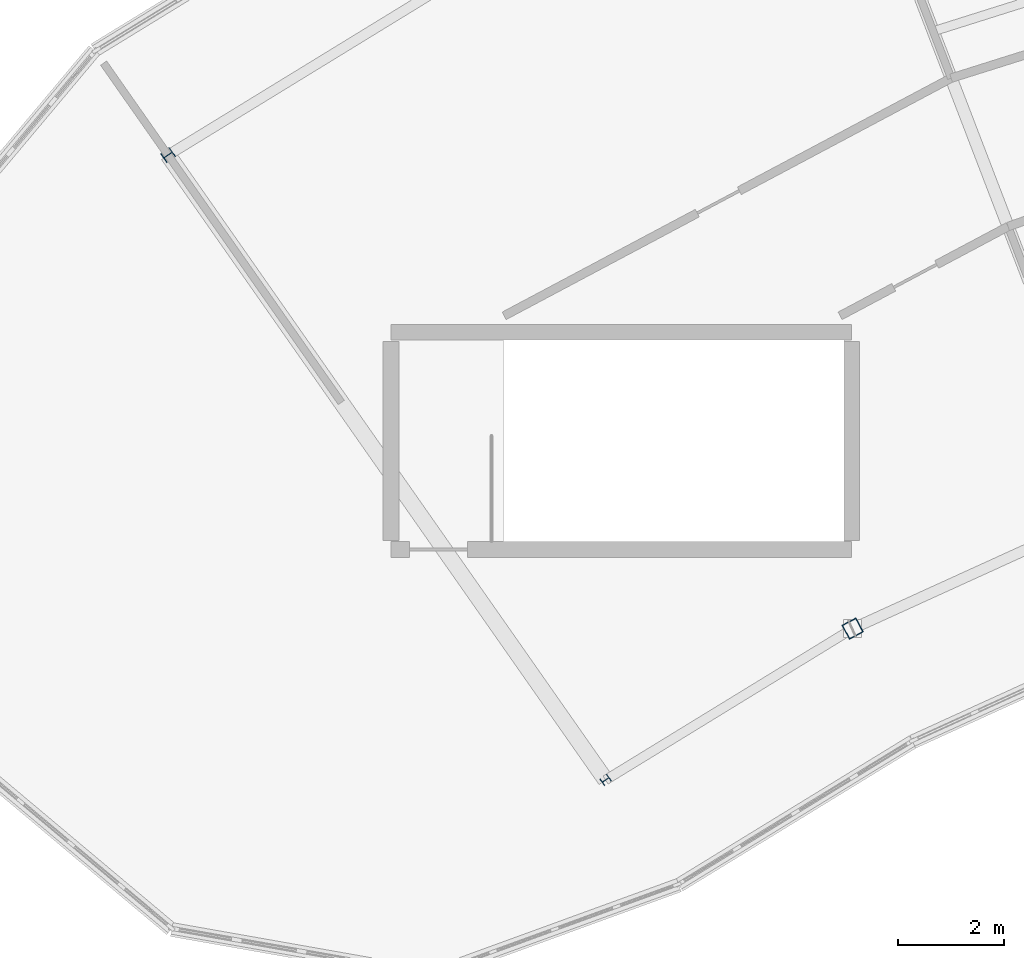
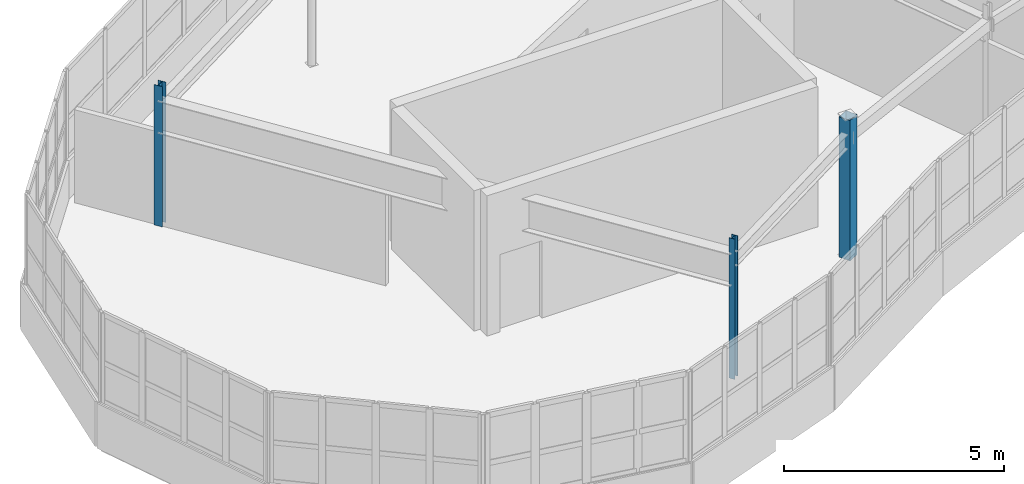
# One storey, part 7 of 60: 3 columns.
"""IFC4 building model written with IfcOpenShell, lengths in metres."""

from ifc_helpers import new_model, si_unit, direction, frame, origin, origin_2d, place, context, subcontext, project, spatial, hollow_rectangle, i_section, extrude, material, material_profile, profile_set, type_object, element, save


model = new_model("IFC4")

# Units and contexts
model_context = context("Model", 3, precision=1e-05, world=origin(), true_north=direction((0.0, 1.0)))
body_context = subcontext(model_context, "Body", "Model", "MODEL_VIEW")
ifc_project = project(units=[si_unit("LENGTHUNIT", "METRE"), si_unit("AREAUNIT", "SQUARE_METRE"), si_unit("VOLUMEUNIT", "CUBIC_METRE"), si_unit("PLANEANGLEUNIT", "RADIAN"), si_unit("MASSUNIT", "GRAM", prefix="KILO")], contexts=[model_context])

# Site, building, storey
site_placement = place(None, origin())
site = spatial("IfcSite", under=ifc_project, at=site_placement, CompositionType="ELEMENT")
building_placement = place(site_placement, origin())
building = spatial("IfcBuilding", under=site, at=building_placement, Name="Tarnwether General Hospital", CompositionType="ELEMENT")
storey_placement = place(building_placement, frame((0.0, 0.0, 26.10009765625)))
storey = spatial("IfcBuildingStorey", under=building, at=storey_placement, Name="L06", CompositionType="ELEMENT", Elevation=26.10009765625)

# Columns
ifc_material_1 = material(Name="Steel Grade 350 (350 MPa)", Category="steel")
ifc_material_profile_1 = material_profile(ifc_material_1, i_section(OverallWidth=0.202880859375, OverallDepth=0.202880859375, WebThickness=0.00732421875, FlangeThickness=0.010986328125, at=origin_2d()), Name="200UC46.2")
ifc_profile_set_1 = profile_set([ifc_material_profile_1], Name="Steel Grade 350 (350 MPa)")
column_type_1 = type_object("IfcColumnType", Name="COL-27", PredefinedType="COLUMN", material=ifc_profile_set_1)
column_1_placement = place(storey_placement, frame((58.0439453125, 111.493896484375, 0.0), z_axis=(0.0, 0.0, 1.0), x_axis=(-0.573576436351, 0.819152044289, 0.0)))
element("IfcColumn", 1, at=column_1_placement, inside=storey, type_object=column_type_1, Name="Column COLG-L06-5804_11149", PredefinedType="COLUMN", context=body_context, shape_type="SweptSolid", body=[
    extrude(i_section(OverallWidth=0.202880859375, OverallDepth=0.202880859375, WebThickness=0.00732421875, FlangeThickness=0.010986328125, at=origin_2d()), origin(), (0.0, 0.0, 1.0), 3.89990234375),
])
ifc_material_2 = material(Name="Steel Grade 350 (350 MPa)", Category="steel")
ifc_material_profile_2 = material_profile(ifc_material_2, i_section(OverallWidth=0.154052734375, OverallDepth=0.162109375, WebThickness=0.008056640625, FlangeThickness=0.011474609375, at=origin_2d()), Name="150UC37.2")
ifc_profile_set_2 = profile_set([ifc_material_profile_2], Name="Steel Grade 350 (350 MPa)")
column_type_2 = type_object("IfcColumnType", Name="COL-28", PredefinedType="COLUMN", material=ifc_profile_set_2)
column_2_placement = place(storey_placement, frame((66.303955078125, 99.697998046875, 0.0), z_axis=(0.0, 0.0, 1.0), x_axis=(-0.573576436351, 0.819152044289, 0.0)))
element("IfcColumn", 2, at=column_2_placement, inside=storey, type_object=column_type_2, Name="Column COLG-L06-6630_9970", PredefinedType="COLUMN", context=body_context, shape_type="SweptSolid", body=[
    extrude(i_section(OverallWidth=0.154052734375, OverallDepth=0.162109375, WebThickness=0.008056640625, FlangeThickness=0.011474609375, at=origin_2d()), origin(), (0.0, 0.0, 1.0), 3.89990234375),
])
ifc_material_3 = material(Name="Steel Grade C350L0 (350 MPa)", Category="steel")
ifc_material_profile_3 = material_profile(ifc_material_3, hollow_rectangle(XDim=0.300048828125, YDim=0.300048828125, WallThickness=0.012451171875, at=origin_2d()), Name="SHS300x300x12.5")
ifc_profile_set_3 = profile_set([ifc_material_profile_3], Name="Steel Grade C350L0 (350 MPa)")
column_type_3 = type_object("IfcColumnType", Name="COL-30", PredefinedType="COLUMN", material=ifc_profile_set_3)
column_3_placement = place(storey_placement, frame((70.968017578125, 102.555908203125, 0.0), z_axis=(0.0, 0.0, 1.0), x_axis=(-0.469471562786, 0.882947592859, 0.0)))
element("IfcColumn", 3, at=column_3_placement, inside=storey, type_object=column_type_3, Name="Column COLG-L06-7097_10256", PredefinedType="COLUMN", context=body_context, shape_type="SweptSolid", body=[
    extrude(hollow_rectangle(XDim=0.300048828125, YDim=0.300048828125, WallThickness=0.012451171875, at=origin_2d()), origin(), (0.0, 0.0, 1.0), 3.89990234375),
])

save(model, "model.ifc")
